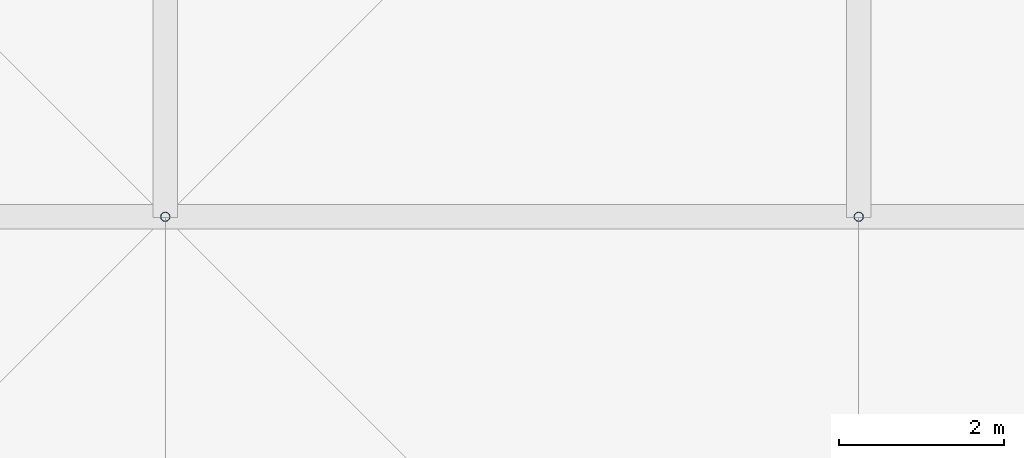
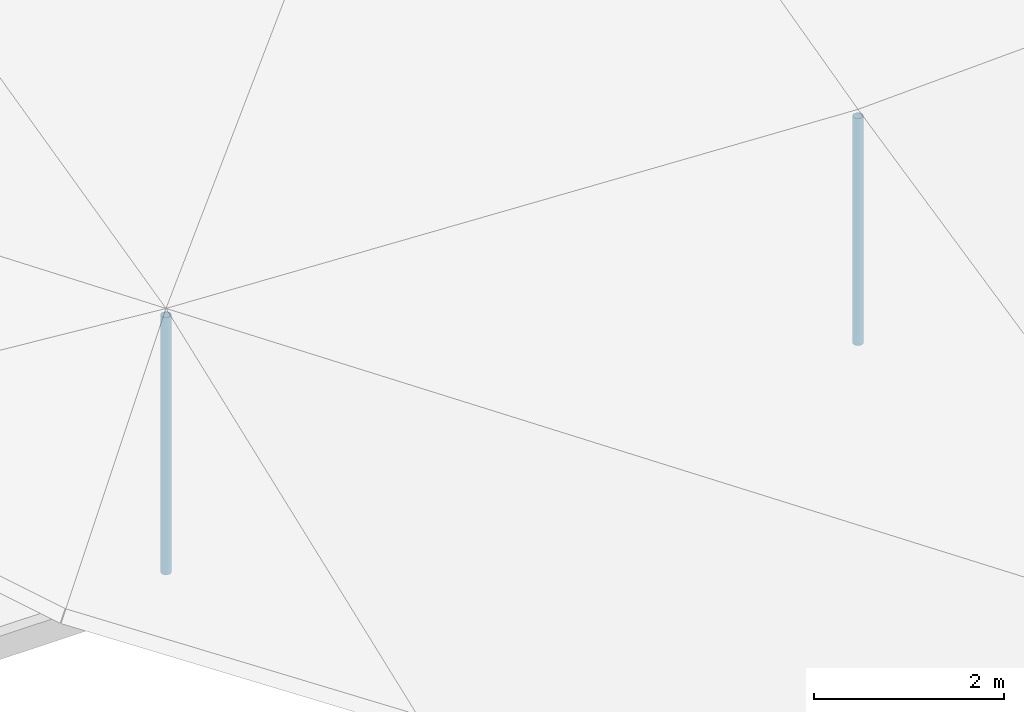
# One storey, part 13 of 46: 2 discrete accessories.
"""IFC4 building model written with IfcOpenShell, lengths in metres."""

from ifc_helpers import new_model, si_unit, direction, frame, origin, origin_2d, place, context, subcontext, project, spatial, hollow_circle, extrude, material, material_profile, profile_set, type_object, element, save


model = new_model("IFC4")

# Units and contexts
model_context = context("Model", 3, precision=1e-05, world=origin(), true_north=direction((0.0, 1.0)))
body_context = subcontext(model_context, "Body", "Model", "MODEL_VIEW")
ifc_project = project(units=[si_unit("LENGTHUNIT", "METRE"), si_unit("AREAUNIT", "SQUARE_METRE"), si_unit("VOLUMEUNIT", "CUBIC_METRE"), si_unit("PLANEANGLEUNIT", "RADIAN"), si_unit("MASSUNIT", "GRAM", prefix="KILO")], contexts=[model_context])

# Site, building, storey
site_placement = place(None, origin())
site = spatial("IfcSite", under=ifc_project, at=site_placement, CompositionType="ELEMENT")
building_placement = place(site_placement, origin())
building = spatial("IfcBuilding", under=site, at=building_placement, Name="Rain Tree Exposition and Congress Centre", CompositionType="ELEMENT")
storey_placement = place(building_placement, frame((0.0, 0.0, 27.0)))
storey = spatial("IfcBuildingStorey", under=building, at=storey_placement, Name="ROOF VAULT CREST", CompositionType="ELEMENT", Elevation=27.0)

# Discrete accessories
ifc_material = material(Name="Steel S355J2H", Category="steel")
ifc_material_profile = material_profile(ifc_material, hollow_circle(Radius=0.05712890625, WallThickness=0.00439453125, at=origin_2d()), Name="CHS 114x4.5")
ifc_profile_set = profile_set([ifc_material_profile], Name="Steel S355J2H")
discrete_accessory_type = type_object("IfcDiscreteAccessoryType", Name="Roof skin post CHS 114x4.5", PredefinedType="BRACKET", material=ifc_profile_set)
discrete_accessory_1_placement = place(storey_placement, frame((176.39990234375, 117.60009765625, 0.551025390625), z_axis=(0.0, 0.0, 1.0), x_axis=(1.0, 0.0, 0.0)))
element("IfcDiscreteAccessory", 1, at=discrete_accessory_1_placement, inside=storey, type_object=discrete_accessory_type, Name="Roof skin post B31", PredefinedType="BRACKET", context=body_context, shape_type="SweptSolid", body=[
    extrude(hollow_circle(Radius=0.05712890625, WallThickness=0.00439453125, at=origin_2d()), origin(), (0.0, 0.0, 1.0), 3.30029296875),
])
discrete_accessory_2_placement = place(storey_placement, frame((184.800048828125, 117.60009765625, 0.551025390625), z_axis=(0.0, 0.0, 1.0), x_axis=(1.0, 0.0, 0.0)))
element("IfcDiscreteAccessory", 2, at=discrete_accessory_2_placement, inside=storey, type_object=discrete_accessory_type, Name="Roof skin post B32", PredefinedType="BRACKET", context=body_context, shape_type="SweptSolid", body=[
    extrude(hollow_circle(Radius=0.05712890625, WallThickness=0.00439453125, at=origin_2d()), origin(), (0.0, 0.0, 1.0), 2.9140625),
])

save(model, "model.ifc")
